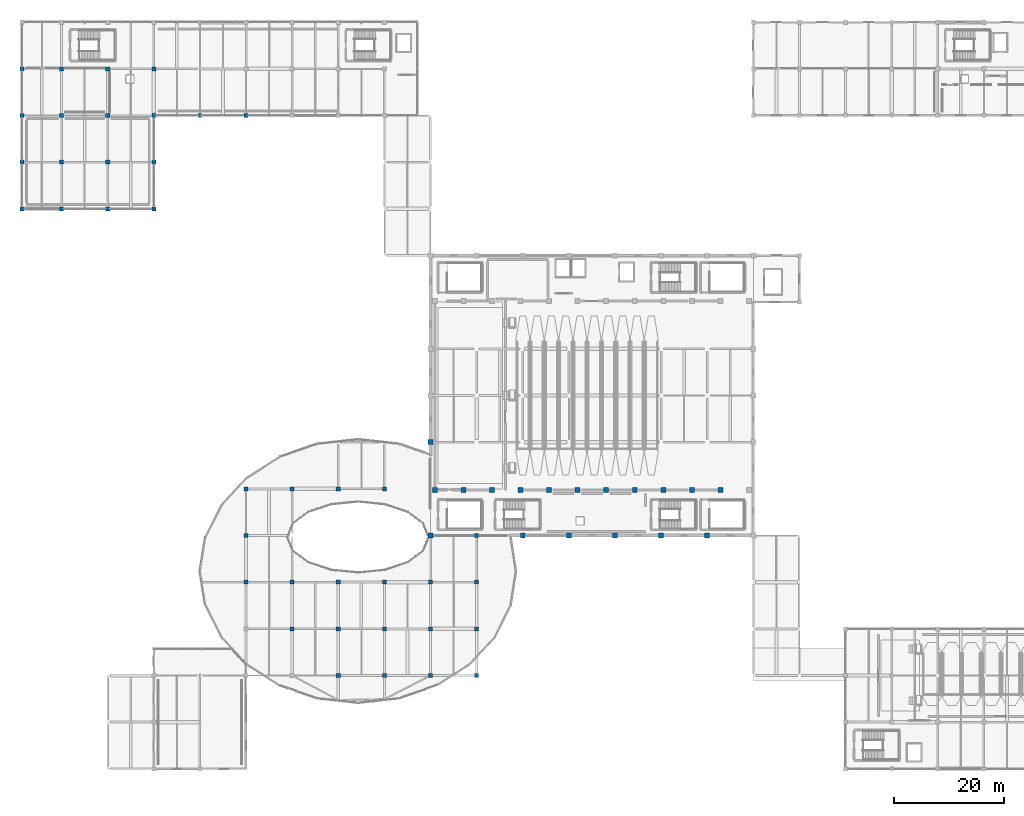
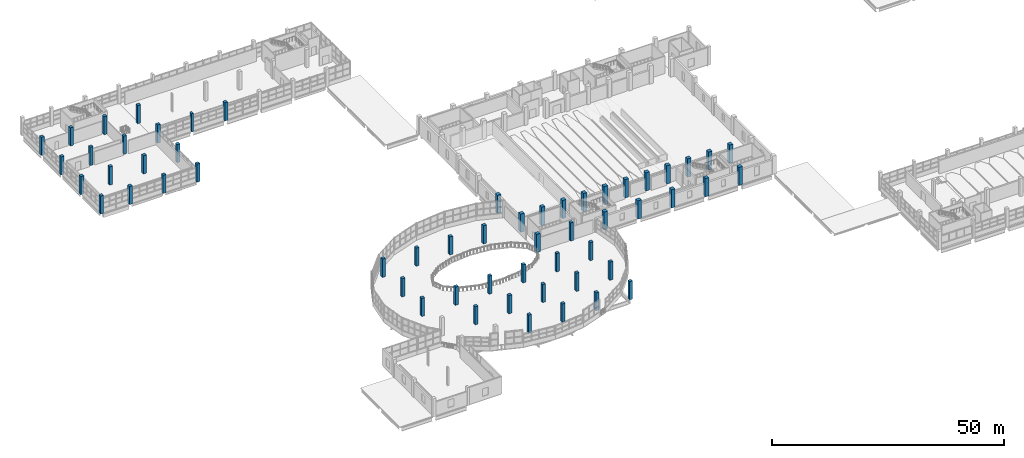
# One storey, part 2 of 117: 57 columns.
"""IFC4 building model written with IfcOpenShell, lengths in metres."""

from ifc_helpers import new_model, si_unit, direction, frame, origin, origin_2d, place, context, subcontext, project, spatial, rectangle, extrude, material, material_profile, profile_set, type_object, element, save


model = new_model("IFC4")

# Units and contexts
model_context = context("Model", 3, precision=1e-05, world=origin(), true_north=direction((0.0, 1.0)))
body_context = subcontext(model_context, "Body", "Model", "MODEL_VIEW")
ifc_project = project(units=[si_unit("LENGTHUNIT", "METRE"), si_unit("AREAUNIT", "SQUARE_METRE"), si_unit("VOLUMEUNIT", "CUBIC_METRE"), si_unit("PLANEANGLEUNIT", "RADIAN"), si_unit("MASSUNIT", "GRAM", prefix="KILO")], contexts=[model_context])

# Site, building, storey
site_placement = place(None, origin())
site = spatial("IfcSite", under=ifc_project, at=site_placement, CompositionType="ELEMENT")
building_placement = place(site_placement, origin())
building = spatial("IfcBuilding", under=site, at=building_placement, Name="Solvento Point Concert Hall", CompositionType="ELEMENT")
storey_placement = place(building_placement, frame((0.0, 0.0, 5.39990234375)))
storey = spatial("IfcBuildingStorey", under=building, at=storey_placement, Name="L01", CompositionType="ELEMENT", Elevation=5.39990234375)

# Columns
ifc_material_1 = material(Name="Concrete C40/50", Category="concrete")
ifc_material_profile_1 = material_profile(ifc_material_1, rectangle(XDim=0.75, YDim=0.75, at=origin_2d()), Name="RC-COL-750X750")
ifc_profile_set_1 = profile_set([ifc_material_profile_1], Name="Concrete C40/50")
column_type_1 = type_object("IfcColumnType", Name="Col_RC_750", PredefinedType="COLUMN", material=ifc_profile_set_1)
for number, where, z_axis, x_axis, name in (
    (1, (0.0, 102.0, 0.0), (0.0, 0.0, 1.0), (1.0, 0.0, 0.0), "Column C-29 01/N L01"),
    (2, (0.0, 110.5, 0.0), (0.0, 0.0, 1.0), (1.0, 0.0, 0.0), "Column C-29 01/P L01"),
    (3, (0.0, 119.0, 0.0), (0.0, 0.0, 1.0), (1.0, 0.0, 0.0), "Column C-29 01/Q L01"),
    (4, (0.0, 127.5, 0.0), (0.0, 0.0, 1.0), (1.0, 0.0, 0.0), "Column C-29 01/R L01"),
    (5, (7.199951171875, 102.0, 0.0), (0.0, 0.0, 1.0), (1.0, 0.0, 0.0), "Column C-29 02/N L01"),
    (6, (7.199951171875, 110.5, 0.0), (0.0, 0.0, 1.0), (1.0, 0.0, 0.0), "Column C-29 02/P L01"),
    (7, (7.199951171875, 119.0, 0.0), (0.0, 0.0, 1.0), (1.0, 0.0, 0.0), "Column C-29 02/Q L01"),
    (8, (7.199951171875, 127.5, 0.0), (0.0, 0.0, 1.0), (1.0, 0.0, 0.0), "Column C-29 02/R L01"),
    (9, (15.60009765625, 102.0, 0.0), (0.0, 0.0, 1.0), (1.0, 0.0, 0.0), "Column C-29 03/N L01"),
    (10, (15.60009765625, 110.5, 0.0), (0.0, 0.0, 1.0), (1.0, 0.0, 0.0), "Column C-29 03/P L01"),
    (11, (15.60009765625, 119.0, 0.0), (0.0, 0.0, 1.0), (1.0, 0.0, 0.0), "Column C-29 03/Q L01"),
    (12, (15.60009765625, 127.5, 0.0), (0.0, 0.0, 1.0), (1.0, 0.0, 0.0), "Column C-29 03/R L01"),
    (13, (24.0, 102.0, 0.0), (0.0, 0.0, 1.0), (1.0, 0.0, 0.0), "Column C-29 04/N L01"),
    (14, (24.0, 110.5, 0.0), (0.0, 0.0, 1.0), (1.0, 0.0, 0.0), "Column C-29 04/P L01"),
    (15, (24.0, 119.0, 0.0), (0.0, 0.0, 1.0), (1.0, 0.0, 0.0), "Column C-29 04/Q L01"),
    (16, (24.0, 127.5, 0.0), (0.0, 0.0, 1.0), (1.0, 0.0, 0.0), "Column C-29 04/R L01"),
    (17, (40.800048828125, 34.0, 0.0), (0.0, 0.0, 1.0), (1.0, 0.0, 0.0), "Column C-29 06/E L01"),
    (18, (40.800048828125, 42.5, 0.0), (0.0, 0.0, 1.0), (1.0, 0.0, 0.0), "Column C-29 06/F L01"),
    (19, (40.800048828125, 51.0, 0.0), (0.0, 0.0, 1.0), (1.0, 0.0, 0.0), "Column C-29 06/G L01"),
    (20, (40.800048828125, 119.0, 0.0), (0.0, 0.0, 1.0), (1.0, 0.0, 0.0), "Column C-29 06/Q L01"),
    (21, (49.199951171875, 25.5, 0.0), (0.0, 0.0, 1.0), (1.0, 0.0, 0.0), "Column C-29 07/D L01"),
    (22, (49.199951171875, 34.0, 0.0), (0.0, 0.0, 1.0), (1.0, 0.0, 0.0), "Column C-29 07/E L01"),
    (23, (49.199951171875, 51.0, 0.0), (0.0, 0.0, 1.0), (1.0, 0.0, 0.0), "Column C-29 07/G L01"),
    (24, (57.60009765625, 17.0, 0.0), (0.0, 0.0, 1.0), (1.0, 0.0, 0.0), "Column C-29 08/C L01"),
    (25, (57.60009765625, 25.5, 0.0), (0.0, 0.0, 1.0), (1.0, 0.0, 0.0), "Column C-29 08/D L01"),
    (26, (57.60009765625, 34.0, 0.0), (0.0, 0.0, 1.0), (1.0, 0.0, 0.0), "Column C-29 08/E L01"),
    (27, (57.60009765625, 51.0, 0.0), (0.0, 0.0, 1.0), (1.0, 0.0, 0.0), "Column C-29 08/G L01"),
    (28, (66.0, 17.0, 0.0), (0.0, 0.0, 1.0), (1.0, 0.0, 0.0), "Column C-29 09/C L01"),
    (29, (66.0, 25.5, 0.0), (0.0, 0.0, 1.0), (1.0, 0.0, 0.0), "Column C-29 09/D L01"),
    (30, (66.0, 34.0, 0.0), (0.0, 0.0, 1.0), (1.0, 0.0, 0.0), "Column C-29 09/E L01"),
    (31, (66.0, 51.0, 0.0), (0.0, 0.0, 1.0), (1.0, 0.0, 0.0), "Column C-29 09/G L01"),
    (32, (74.39990234375, 17.0, 0.0), (0.0, 0.0, 1.0), (1.0, 0.0, 0.0), "Column C-29 10/C L01"),
    (33, (74.39990234375, 25.5, 0.0), (0.0, 0.0, 1.0), (1.0, 0.0, 0.0), "Column C-29 10/D L01"),
    (34, (74.39990234375, 34.0, 0.0), (0.0, 0.0, 1.0), (1.0, 0.0, 0.0), "Column C-29 10/E L01"),
    (35, (82.800048828125, 17.0, 0.0), (0.0, 0.0, 1.0), (1.0, 0.0, 0.0), "Column C-29 11/C L01"),
    (36, (82.800048828125, 25.5, 0.0), (0.0, 0.0, 1.0), (1.0, 0.0, 0.0), "Column C-29 11/D L01"),
    (37, (82.800048828125, 34.0, 0.0), (0.0, 0.0, 1.0), (1.0, 0.0, 0.0), "Column C-29 11/E L01"),
    (38, (82.800048828125, 42.5, 0.0), (0.0, 0.0, 1.0), (1.0, 0.0, 0.0), "Column C-29 11/F L01"),
):
    element("IfcColumn", number, at=place(storey_placement, frame(where, z_axis=z_axis, x_axis=x_axis)), inside=storey, type_object=column_type_1, Name=name, PredefinedType="COLUMN", context=body_context, shape_type="SweptSolid", body=[
        extrude(rectangle(XDim=0.75, YDim=0.75, at=origin_2d()), origin(), (0.0, 0.0, 1.0), 4.800048828125),
    ])
ifc_material_2 = material(Name="Concrete C40/50", Category="concrete")
ifc_material_profile_2 = material_profile(ifc_material_2, rectangle(XDim=0.89990234375, YDim=0.89990234375, at=origin_2d()), Name="RC-COL-900X900")
ifc_profile_set_2 = profile_set([ifc_material_profile_2], Name="Concrete C40/50")
column_type_2 = type_object("IfcColumnType", Name="Col_RC_900", PredefinedType="COLUMN", material=ifc_profile_set_2)
for number, where, z_axis, x_axis, name in (
    (39, (74.39990234375, 42.5, 0.0), (0.0, 0.0, 1.0), (1.0, 0.0, 0.0), "Column C-14 10/F L01"),
    (40, (74.39990234375, 59.5, 0.0), (0.0, 0.0, 1.0), (1.0, 0.0, 0.0), "Column C-14 10/H L01"),
    (41, (91.199951171875, 42.5, 0.0), (0.0, 0.0, 1.0), (1.0, 0.0, 0.0), "Column C-14 12/F L01"),
    (42, (99.60009765625, 42.5, 0.0), (0.0, 0.0, 1.0), (1.0, 0.0, 0.0), "Column C-14 13/F L01"),
    (43, (108.0, 42.5, 0.0), (0.0, 0.0, 1.0), (1.0, 0.0, 0.0), "Column C-14 14/F L01"),
    (44, (116.39990234375, 42.5, 0.0), (0.0, 0.0, 1.0), (1.0, 0.0, 0.0), "Column C-14 15/F L01"),
    (45, (124.800048828125, 42.5, 0.0), (0.0, 0.0, 1.0), (1.0, 0.0, 0.0), "Column C-14 16/F L01"),
    (46, (75.199951171875, 50.800048828125, 0.0), (0.0, 0.0, 1.0), (1.0, 0.0, 0.0), "Symphonic drum column C-14 DS01 L01"),
    (47, (80.39990234375, 50.800048828125, 0.0), (0.0, 0.0, 1.0), (1.0, 0.0, 0.0), "Symphonic drum column C-14 DS02 L01"),
    (48, (85.60009765625, 50.800048828125, 0.0), (0.0, 0.0, 1.0), (1.0, 0.0, 0.0), "Symphonic drum column C-14 DS03 L01"),
    (49, (90.800048828125, 50.800048828125, 0.0), (0.0, 0.0, 1.0), (1.0, 0.0, 0.0), "Symphonic drum column C-14 DS04 L01"),
    (50, (96.0, 50.800048828125, 0.0), (0.0, 0.0, 1.0), (1.0, 0.0, 0.0), "Symphonic drum column C-14 DS05 L01"),
    (51, (101.199951171875, 50.800048828125, 0.0), (0.0, 0.0, 1.0), (1.0, 0.0, 0.0), "Symphonic drum column C-14 DS06 L01"),
    (52, (106.39990234375, 50.800048828125, 0.0), (0.0, 0.0, 1.0), (1.0, 0.0, 0.0), "Symphonic drum column C-14 DS07 L01"),
    (53, (111.60009765625, 50.800048828125, 0.0), (0.0, 0.0, 1.0), (1.0, 0.0, 0.0), "Symphonic drum column C-14 DS08 L01"),
    (54, (116.800048828125, 50.800048828125, 0.0), (0.0, 0.0, 1.0), (1.0, 0.0, 0.0), "Symphonic drum column C-14 DS09 L01"),
    (55, (122.0, 50.800048828125, 0.0), (0.0, 0.0, 1.0), (1.0, 0.0, 0.0), "Symphonic drum column C-14 DS10 L01"),
    (56, (127.199951171875, 50.800048828125, 0.0), (0.0, 0.0, 1.0), (1.0, 0.0, 0.0), "Symphonic drum column C-14 DS11 L01"),
):
    element("IfcColumn", number, at=place(storey_placement, frame(where, z_axis=z_axis, x_axis=x_axis)), inside=storey, type_object=column_type_2, Name=name, PredefinedType="COLUMN", context=body_context, shape_type="SweptSolid", body=[
        extrude(rectangle(XDim=0.89990234375, YDim=0.89990234375, at=origin_2d()), origin(), (0.0, 0.0, 1.0), 4.800048828125),
    ])
ifc_material_3 = material(Name="Concrete C40/50", Category="concrete")
ifc_material_profile_3 = material_profile(ifc_material_3, rectangle(XDim=0.5, YDim=0.800048828125, at=origin_2d()), Name="RC-PIL-500X800")
ifc_profile_set_3 = profile_set([ifc_material_profile_3], Name="Concrete C40/50")
column_type_3 = type_object("IfcColumnType", Name="Pilaster_500x800", PredefinedType="PILASTER", material=ifc_profile_set_3)
column_placement = place(storey_placement, frame((32.39990234375, 119.0, 0.0), z_axis=(0.0, 0.0, 1.0), x_axis=(1.0, 0.0, 0.0)))
element("IfcColumn", 57, at=column_placement, inside=storey, type_object=column_type_3, Name="Column C-70 05/Q L01", PredefinedType="PILASTER", context=body_context, shape_type="SweptSolid", body=[
    extrude(rectangle(XDim=0.5, YDim=0.800048828125, at=origin_2d()), origin(), (0.0, 0.0, 1.0), 4.800048828125),
])

save(model, "model.ifc")
